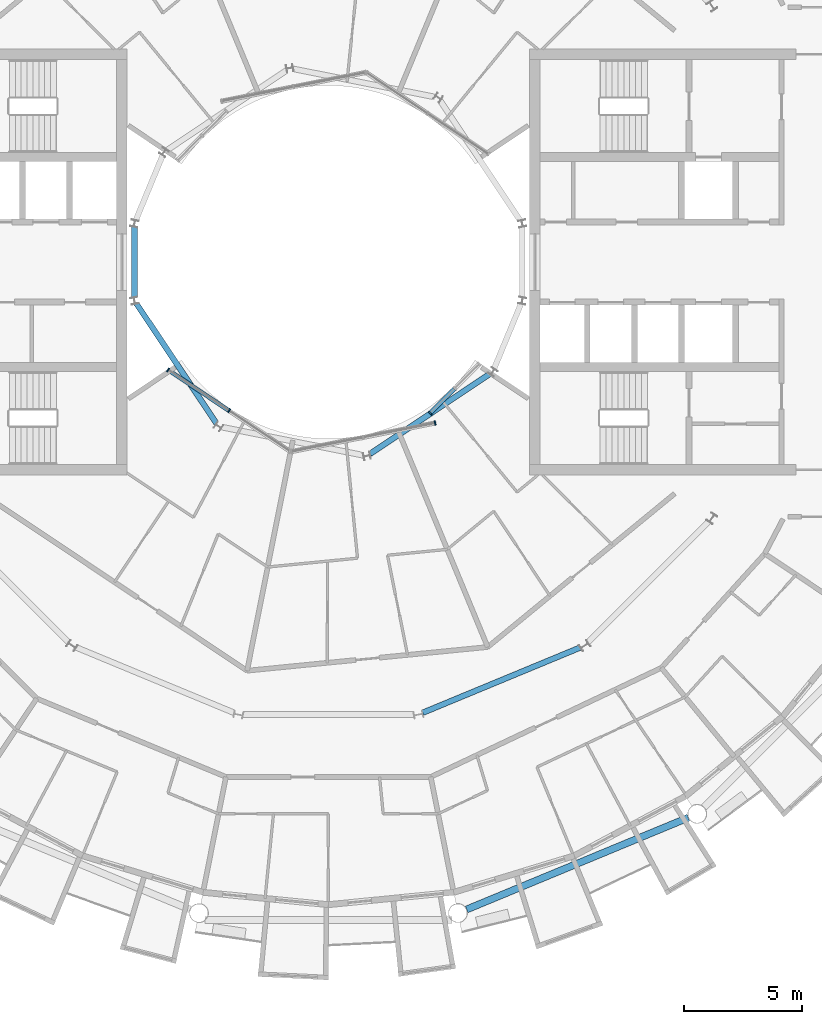
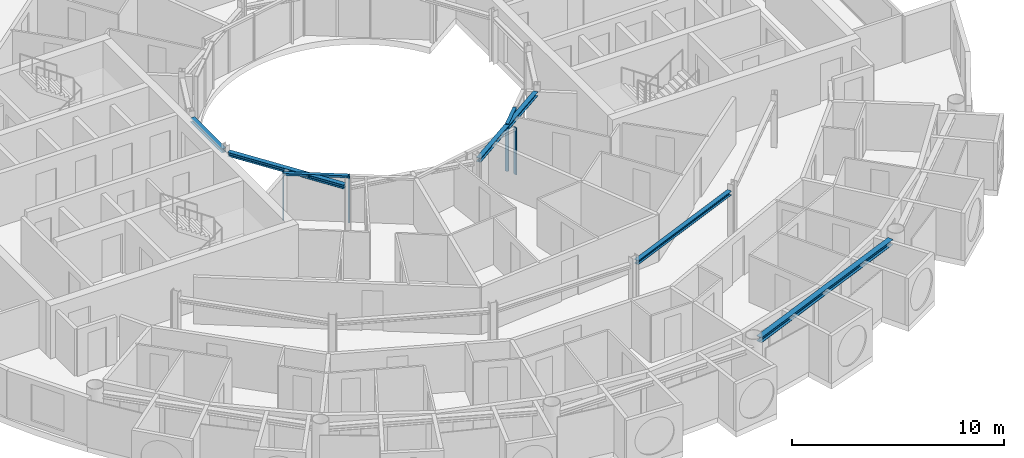
# One storey, part 7 of 29: 6 members, 5 beams, 3 elements without a shape of their own.
"""IFC4 building model written with IfcOpenShell, lengths in metres."""

from ifc_helpers import new_model, si_unit, direction, frame, origin, origin_2d, place, context, subcontext, project, spatial, rectangle, i_section, extrude, material, layer, layer_set, material_profile, profile_set, type_object, element, aggregate, save


model = new_model("IFC4")

# Units and contexts
model_context = context("Model", 3, precision=1e-05, world=origin(), true_north=direction((0.0, 1.0)))
body_context = subcontext(model_context, "Body", "Model", "MODEL_VIEW")
ifc_project = project(units=[si_unit("LENGTHUNIT", "METRE"), si_unit("AREAUNIT", "SQUARE_METRE"), si_unit("VOLUMEUNIT", "CUBIC_METRE"), si_unit("PLANEANGLEUNIT", "RADIAN"), si_unit("MASSUNIT", "GRAM", prefix="KILO")], contexts=[model_context])

# Site, building, storey
site_placement = place(None, origin())
site = spatial("IfcSite", under=ifc_project, at=site_placement, CompositionType="ELEMENT")
building_placement = place(site_placement, origin())
building = spatial("IfcBuilding", under=site, at=building_placement, Name="Maasbend Ring Residences", CompositionType="ELEMENT")
storey_placement = place(building_placement, frame((0.0, 0.0, 215.75)))
storey = spatial("IfcBuildingStorey", under=building, at=storey_placement, Name="L62", CompositionType="ELEMENT", Elevation=215.75)

# Curtain wall, members
ifc_material_1 = material(Name="Aluminium and clear glass", Category="aluminium")
ifc_layer = layer(ifc_material_1, 0.179931640625)
ifc_layer_set = layer_set([ifc_layer], Name="CW-W")
curtain_wall_type = type_object("IfcCurtainWallType", Name="CW-W", PredefinedType="NOTDEFINED", material=ifc_layer_set)
curtain_wall_1_placement = place(storey_placement, origin())
curtain_wall_1 = element("IfcCurtainWall", 1, at=curtain_wall_1_placement, inside=storey, type_object=curtain_wall_type, Name="Well curtain wall S1", PredefinedType="NOTDEFINED")
ifc_material_2 = material(Name="Aluminium 6063-T6", Category="aluminium")
ifc_material_profile_1 = material_profile(ifc_material_2, rectangle(XDim=0.179931640625, YDim=0.06005859375, at=origin_2d()), Name="AL 180x60")
ifc_profile_set_1 = profile_set([ifc_material_profile_1], Name="Aluminium 6063-T6")
member_type_1 = type_object("IfcMemberType", Name="CWM-W", PredefinedType="MULLION", material=ifc_profile_set_1)
member_1_placement = place(storey_placement, frame((-6.805908203125, -4.580810546875, 0.0), z_axis=(0.0, 0.0, 1.0), x_axis=(0.55557023302, 0.831469612303, 0.0)))
member_1 = element("IfcMember", 2, at=member_1_placement, type_object=member_type_1, Name="Mullion well face", PredefinedType="MULLION", context=body_context, shape_type="SweptSolid", body=[
    extrude(rectangle(XDim=0.179931640625, YDim=0.06005859375, at=origin_2d()), origin(), (0.0, 0.0, 1.0), 2.699951171875),
])
member_2_placement = place(storey_placement, frame((-4.216796875, -6.310791015625, 0.0), z_axis=(0.0, 0.0, 1.0), x_axis=(0.55557023302, 0.831469612303, 0.0)))
member_2 = element("IfcMember", 3, at=member_2_placement, type_object=member_type_1, Name="Mullion well face", PredefinedType="MULLION", context=body_context, shape_type="SweptSolid", body=[
    extrude(rectangle(XDim=0.179931640625, YDim=0.06005859375, at=origin_2d()), origin(), (0.0, 0.0, 1.0), 2.699951171875),
])

# Curtain wall, member
curtain_wall_2_placement = place(storey_placement, origin())
curtain_wall_2 = element("IfcCurtainWall", 4, at=curtain_wall_2_placement, inside=storey, type_object=curtain_wall_type, Name="Well curtain wall S2", PredefinedType="NOTDEFINED")
member_3_placement = place(storey_placement, frame((4.53466796875, -6.836669921875, 0.0), z_axis=(0.0, 0.0, 1.0), x_axis=(-0.195090322016, 0.980785280403, 0.0)))
member_3 = element("IfcMember", 5, at=member_3_placement, type_object=member_type_1, Name="Mullion well face", PredefinedType="MULLION", context=body_context, shape_type="SweptSolid", body=[
    extrude(rectangle(XDim=0.179931640625, YDim=0.06005859375, at=origin_2d()), origin(), (0.0, 0.0, 1.0), 2.699951171875),
])
aggregate(curtain_wall_2, [member_3])

curtain_wall_3_placement = place(storey_placement, origin())
curtain_wall_3 = element("IfcCurtainWall", 6, at=curtain_wall_3_placement, inside=storey, type_object=curtain_wall_type, Name="Well curtain wall S3", PredefinedType="NOTDEFINED")
member_4_placement = place(storey_placement, frame((4.320556640625, -6.413330078125, 0.0), z_axis=(0.0, 0.0, 1.0), x_axis=(-0.707106781187, 0.707106781187, 0.0)))
member_4 = element("IfcMember", 7, at=member_4_placement, type_object=member_type_1, Name="Mullion well face", PredefinedType="MULLION", context=body_context, shape_type="SweptSolid", body=[
    extrude(rectangle(XDim=0.179931640625, YDim=0.06005859375, at=origin_2d()), origin(), (0.0, 0.0, 1.0), 2.699951171875),
])

# Member
ifc_material_3 = material(Name="Aluminium 6063-T6", Category="aluminium")
ifc_material_profile_2 = material_profile(ifc_material_3, rectangle(XDim=0.179931640625, YDim=0.1201171875, at=origin_2d()), Name="AL 180x120")
ifc_profile_set_2 = profile_set([ifc_material_profile_2], Name="Aluminium 6063-T6")
member_type_2 = type_object("IfcMemberType", Name="CWT-W", PredefinedType="USERDEFINED", material=ifc_profile_set_2)
member_5_placement = place(storey_placement, frame((-6.781005859375, -4.59765625, 2.639892578125), z_axis=(0.831496422459, -0.555530106689, 0.0), x_axis=(0.555530106689, 0.831496422459, 0.0)))
member_5 = element("IfcMember", 8, at=member_5_placement, type_object=member_type_2, Name="Transom well face", ObjectType="TRANSOM", PredefinedType="USERDEFINED", context=body_context, shape_type="SweptSolid", body=[
    extrude(rectangle(XDim=0.179931640625, YDim=0.1201171875, at=origin_2d()), origin(), (0.0, 0.0, 1.0), 3.053955078125),
])

aggregate(curtain_wall_1, [member_1, member_2, member_5])

member_6_placement = place(storey_placement, frame((4.341796875, -6.39208984375, 2.639892578125), z_axis=(0.707106781187, 0.707106781187, 0.0), x_axis=(-0.707106781187, 0.707106781187, 0.0)))
member_6 = element("IfcMember", 9, at=member_6_placement, type_object=member_type_2, Name="Transom well face", ObjectType="TRANSOM", PredefinedType="USERDEFINED", context=body_context, shape_type="SweptSolid", body=[
    extrude(rectangle(XDim=0.179931640625, YDim=0.1201171875, at=origin_2d()), origin(), (0.0, 0.0, 1.0), 1.419677734375),
])

aggregate(curtain_wall_3, [member_4, member_6])

# Beams
ifc_material_4 = material(Name="Steel S355J2", Category="steel")
ifc_material_profile_3 = material_profile(ifc_material_4, i_section(OverallWidth=0.239990234375, OverallDepth=0.22998046875, WebThickness=0.007568359375, FlangeThickness=0.011962890625, FilletRadius=0.02099609375, at=origin_2d()), Name="HEA 240")
ifc_profile_set_3 = profile_set([ifc_material_profile_3], Name="Steel S355J2")
beam_type_1 = type_object("IfcBeamType", Name="Corridor ring beam HEA 240", PredefinedType="BEAM", material=ifc_profile_set_3)
beam_1_placement = place(storey_placement, frame((4.01220703125, -19.1455078125, 2.5849609375), z_axis=(0.923865162022, 0.382718123952, 0.0), x_axis=(-0.382718123952, 0.923865162022, 0.0)))
element("IfcBeam", 10, at=beam_1_placement, inside=storey, type_object=beam_type_1, Name="Corridor ring beam", PredefinedType="BEAM", context=body_context, shape_type="SweptSolid", body=[
    extrude(i_section(OverallWidth=0.239990234375, OverallDepth=0.22998046875, WebThickness=0.007568359375, FlangeThickness=0.011962890625, FilletRadius=0.02099609375, at=origin_2d()), origin(), (0.0, 0.0, 1.0), 7.23974609375),
])
ifc_material_5 = material(Name="Steel S355J2", Category="steel")
ifc_material_profile_4 = material_profile(ifc_material_5, i_section(OverallWidth=0.300048828125, OverallDepth=0.300048828125, WebThickness=0.010986328125, FlangeThickness=0.01904296875, FilletRadius=0.027099609375, at=origin_2d()), Name="HEB 300")
ifc_profile_set_4 = profile_set([ifc_material_profile_4], Name="Steel S355J2")
beam_type_2 = type_object("IfcBeamType", Name="Spandrel ring beam HEB 300", PredefinedType="SPANDREL", material=ifc_profile_set_4)
beam_2_placement = place(storey_placement, frame((5.877197265625, -27.50244140625, 2.550048828125), z_axis=(0.923883676188, 0.382673428492, 0.0), x_axis=(-0.382673428492, 0.923883676188, 0.0)))
element("IfcBeam", 11, at=beam_2_placement, inside=storey, type_object=beam_type_2, Name="Spandrel ring beam", PredefinedType="SPANDREL", context=body_context, shape_type="SweptSolid", body=[
    extrude(i_section(OverallWidth=0.300048828125, OverallDepth=0.300048828125, WebThickness=0.010986328125, FlangeThickness=0.01904296875, FilletRadius=0.027099609375, at=origin_2d()), origin(), (0.0, 0.0, 1.0), 10.18994140625),
])
ifc_material_6 = material(Name="Steel S355J2", Category="steel")
ifc_material_profile_5 = material_profile(ifc_material_6, i_section(OverallWidth=0.239990234375, OverallDepth=0.22998046875, WebThickness=0.007568359375, FlangeThickness=0.011962890625, FilletRadius=0.02099609375, at=origin_2d()), Name="HEA 240")
ifc_profile_set_5 = profile_set([ifc_material_profile_5], Name="Steel S355J2")
beam_type_3 = type_object("IfcBeamType", Name="Well edge beam HEA 240", PredefinedType="BEAM", material=ifc_profile_set_5)
beam_3_placement = place(storey_placement, frame((-8.238525390625, 1.490966796875, 2.5849609375), z_axis=(0.0, -1.0, 0.0), x_axis=(1.0, 0.0, 0.0)))
element("IfcBeam", 12, at=beam_3_placement, inside=storey, type_object=beam_type_3, Name="Well edge beam", PredefinedType="BEAM", context=body_context, shape_type="SweptSolid", body=[
    extrude(i_section(OverallWidth=0.239990234375, OverallDepth=0.22998046875, WebThickness=0.007568359375, FlangeThickness=0.011962890625, FilletRadius=0.02099609375, at=origin_2d()), origin(), (0.0, 0.0, 1.0), 2.98193359375),
])
for number, where, z_axis, x_axis, name in (
    (13, (-8.1513671875, -1.769287109375, 2.5849609375), (0.555584356119, -0.831460175376, 0.0), (0.831460175376, 0.555584356119, 0.0), "Well edge beam"),
    (14, (1.769287109375, -8.1513671875, 2.5849609375), (0.831460175376, 0.555584356119, 0.0), (-0.555584356119, 0.831460175376, 0.0), "Well edge beam"),
):
    element("IfcBeam", number, at=place(storey_placement, frame(where, z_axis=z_axis, x_axis=x_axis)), inside=storey, type_object=beam_type_3, Name=name, PredefinedType="BEAM", context=body_context, shape_type="SweptSolid", body=[
        extrude(i_section(OverallWidth=0.239990234375, OverallDepth=0.22998046875, WebThickness=0.007568359375, FlangeThickness=0.011962890625, FilletRadius=0.02099609375, at=origin_2d()), origin(), (0.0, 0.0, 1.0), 6.115234375),
    ])

save(model, "model.ifc")
